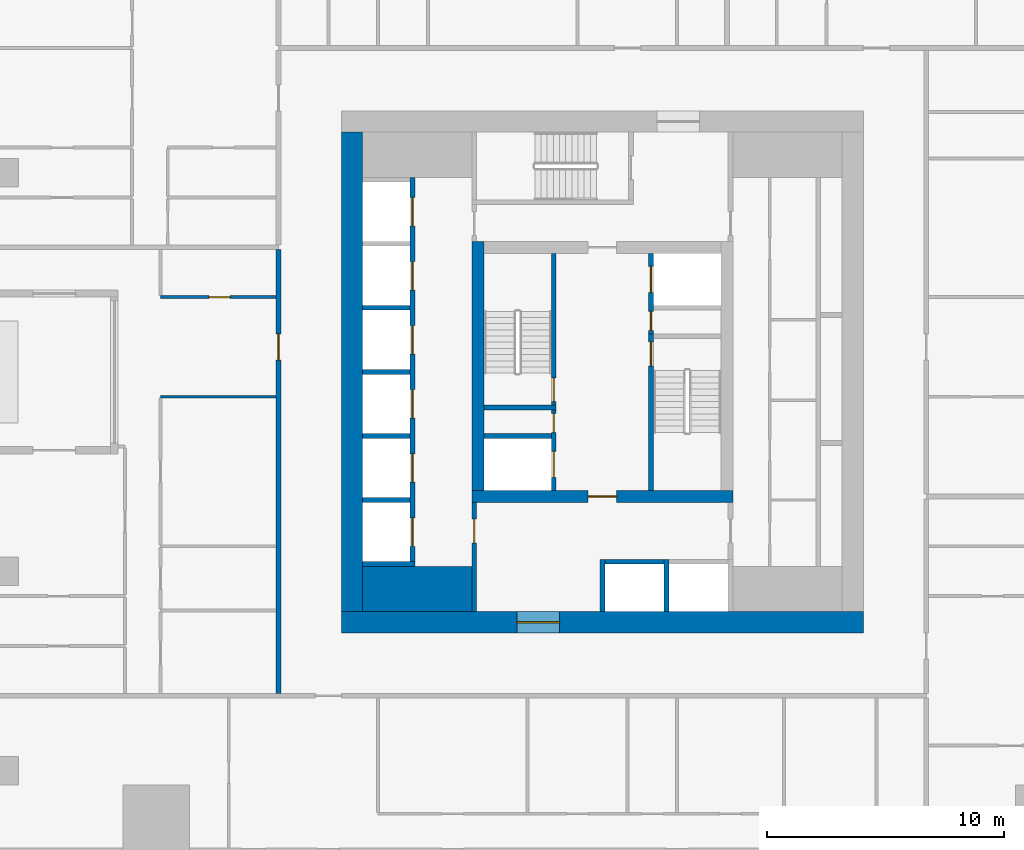
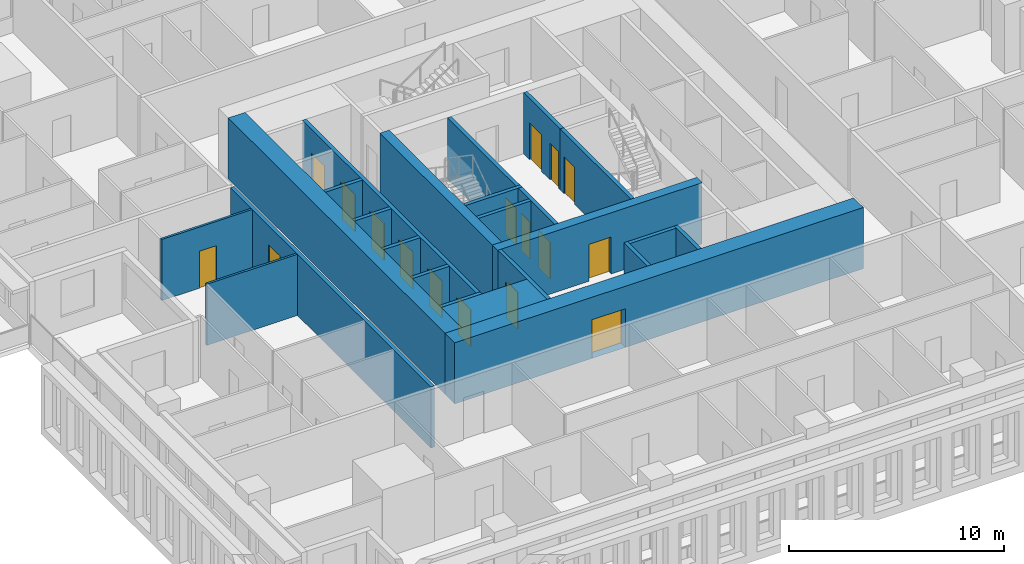
# One storey, part 4 of 16: 24 walls, 17 doors, 17 openings.
"""IFC4 building model written with IfcOpenShell, lengths in metres."""

from ifc_helpers import new_model, si_unit, direction, frame, frame_2d, origin, place, context, subcontext, project, spatial, rectangle, extrude, material, layer, layer_set, type_object, element, fill, save


model = new_model("IFC4")

# Units and contexts
model_context = context("Model", 3, precision=1e-05, world=origin(), true_north=direction((0.0, 1.0)))
body_context = subcontext(model_context, "Body", "Model", "MODEL_VIEW")
ifc_project = project(units=[si_unit("LENGTHUNIT", "METRE"), si_unit("AREAUNIT", "SQUARE_METRE"), si_unit("VOLUMEUNIT", "CUBIC_METRE"), si_unit("PLANEANGLEUNIT", "RADIAN"), si_unit("MASSUNIT", "GRAM", prefix="KILO")], contexts=[model_context])

# Site, building, storey
site_placement = place(None, origin())
site = spatial("IfcSite", under=ifc_project, at=site_placement, CompositionType="ELEMENT")
building_placement = place(site_placement, origin())
building = spatial("IfcBuilding", under=site, at=building_placement, Name="Khepri Terraces", CompositionType="ELEMENT")
storey_placement = place(building_placement, frame((0.0, 0.0, 79.199951171875)))
storey = spatial("IfcBuildingStorey", under=building, at=storey_placement, Name="L18", CompositionType="ELEMENT", Elevation=79.199951171875)

# Wall
ifc_material_1 = material(Name="Concrete C70/85", Category="concrete")
ifc_layer_1 = layer(ifc_material_1, 1.89990234375, Name="Concrete C70/85", Category="concrete")
ifc_layer_set_1 = layer_set([ifc_layer_1], Name="Concrete C70/85")
wall_type_1 = type_object("IfcWallType", Name="Core wall 1900 C70/85", PredefinedType="SHEAR", material=ifc_layer_set_1)
wall_1_placement = place(storey_placement, frame((-10.10009765625, -9.14990234375, 0.0), z_axis=(0.0, 0.0, 1.0), x_axis=(1.0, 0.0, 0.0)))
element("IfcWall", 1, at=wall_1_placement, inside=storey, type_object=wall_type_1, Name="Core wall PR01 L18", PredefinedType="SHEAR", context=body_context, shape_type="SweptSolid", body=[
    extrude(rectangle(XDim=4.60009765625, YDim=1.89990234375, at=frame_2d((2.300048828125, 0.0))), origin(), (0.0, 0.0, 1.0), 3.47998046875),
])

# Wall, opening, door
ifc_layer_2 = layer(ifc_material_1, 0.199951171875, Name="Concrete C70/85", Category="concrete")
ifc_layer_set_2 = layer_set([ifc_layer_2], Name="Concrete C70/85")
wall_type_2 = type_object("IfcWallType", Name="Core wall 200 C70/85", PredefinedType="SHEAR", material=ifc_layer_set_2)
wall_2_placement = place(storey_placement, frame((2.050048828125, -5.0, 0.0), z_axis=(0.0, 0.0, 1.0), x_axis=(0.0, 1.0, 0.0)))
wall_2 = element("IfcWall", 2, at=wall_2_placement, inside=storey, type_object=wall_type_2, Name="Core wall ST01 L18", PredefinedType="SHEAR", context=body_context, shape_type="SweptSolid", body=[
    extrude(rectangle(XDim=6.60009765625, YDim=0.199951171875, at=frame_2d((3.300048828125, 0.0))), origin(), (0.0, 0.0, 1.0), 3.47998046875),
])
opening_1_placement = place(wall_2_placement, frame((5.25, 0.0, 0.0)))
opening_1 = element("IfcOpeningElement", 3, at=opening_1_placement, cuts=wall_2, Name="Opening L18-C10", PredefinedType="OPENING", context=body_context, shape_type="SweptSolid", body=[
    extrude(rectangle(XDim=1.0, YDim=2.10009765625, at=frame_2d((0.5, 1.050048828125))), frame((0.0, 0.10986328125, 0.0), z_axis=(0.0, -1.0, 0.0), x_axis=(1.0, 0.0, 0.0)), (0.0, 0.0, 1.0), 0.219970703125),
])
ifc_material_2 = material(Name="Painted steel", Category="steel")
door_type_1 = type_object("IfcDoorType", Name="DR-CORE-STAIR-1000", OperationType="NOTDEFINED", PredefinedType="DOOR", material=ifc_material_2)
door_1_placement = place(opening_1_placement, frame((1.0, 0.0, 0.0), z_axis=(0.0, 0.0, 1.0), x_axis=(-1.0, 0.0, 0.0)))
door_1 = element("IfcDoor", 4, at=door_1_placement, inside=storey, type_object=door_type_1, Name="Stair door L18-C10", OperationType="SINGLE_SWING_LEFT", OverallHeight=2.10009765625, OverallWidth=1.0, PredefinedType="DOOR", context=body_context, shape_type="SweptSolid", body=[
    extrude(rectangle(XDim=1.0, YDim=2.10009765625, at=frame_2d((0.5, 1.050048828125))), frame((0.0, 0.02490234375, 0.0), z_axis=(0.0, -1.0, 0.0), x_axis=(1.0, 0.0, 0.0)), (0.0, 0.0, 1.0), 0.050048828125),
])
fill(opening_1, door_1)

# Wall
wall_3_placement = place(storey_placement, frame((-5.0, -1.5, 0.0), z_axis=(0.0, 0.0, 1.0), x_axis=(1.0, 0.0, 0.0)))
element("IfcWall", 5, at=wall_3_placement, inside=storey, type_object=wall_type_2, Name="Core wall ST02 L18", PredefinedType="SHEAR", context=body_context, shape_type="SweptSolid", body=[
    extrude(rectangle(XDim=3.050048828125, YDim=0.199951171875, at=frame_2d((1.52490234375, 0.0))), origin(), (0.0, 0.0, 1.0), 3.47998046875),
])

# Wall, opening, door
wall_4_placement = place(storey_placement, frame((-2.050048828125, -1.39990234375, 0.0), z_axis=(0.0, 0.0, 1.0), x_axis=(0.0, 1.0, 0.0)))
wall_4 = element("IfcWall", 6, at=wall_4_placement, inside=storey, type_object=wall_type_2, Name="Core wall ST03 L18", PredefinedType="SHEAR", context=body_context, shape_type="SweptSolid", body=[
    extrude(rectangle(XDim=6.39990234375, YDim=0.199951171875, at=frame_2d((3.199951171875, 0.0))), origin(), (0.0, 0.0, 1.0), 3.47998046875),
])
opening_2_placement = place(wall_4_placement, frame((0.14990234375, 0.0, 0.0)))
opening_2 = element("IfcOpeningElement", 7, at=opening_2_placement, cuts=wall_4, Name="Opening L18-C09", PredefinedType="OPENING", context=body_context, shape_type="SweptSolid", body=[
    extrude(rectangle(XDim=1.0, YDim=2.10009765625, at=frame_2d((0.5, 1.050048828125))), frame((0.0, 0.10986328125, 0.0), z_axis=(0.0, -1.0, 0.0), x_axis=(1.0, 0.0, 0.0)), (0.0, 0.0, 1.0), 0.219970703125),
])
door_2_placement = place(opening_2_placement, origin())
door_2 = element("IfcDoor", 8, at=door_2_placement, inside=storey, type_object=door_type_1, Name="Stair door L18-C09", OperationType="SINGLE_SWING_LEFT", OverallHeight=2.10009765625, OverallWidth=1.0, PredefinedType="DOOR", context=body_context, shape_type="SweptSolid", body=[
    extrude(rectangle(XDim=1.0, YDim=2.10009765625, at=frame_2d((0.5, 1.050048828125))), frame((0.0, 0.02490234375, 0.0), z_axis=(0.0, -1.0, 0.0), x_axis=(1.0, 0.0, 0.0)), (0.0, 0.0, 1.0), 0.050048828125),
])
fill(opening_2, door_2)

# Walls
for number, where, z_axis, x_axis, name in (
    (9, (0.0, -10.10009765625, 0.0), (0.0, 0.0, 1.0), (0.0, 1.0, 0.0), "Core wall SH01 L18"),
    (10, (2.699951171875, -10.10009765625, 0.0), (0.0, 0.0, 1.0), (0.0, 1.0, 0.0), "Core wall SH02 L18"),
    (11, (-10.10009765625, -8.10009765625, 0.0), (0.0, 0.0, 1.0), (1.0, 0.0, 0.0), "Core wall SH04 L18"),
):
    element("IfcWall", number, at=place(storey_placement, frame(where, z_axis=z_axis, x_axis=x_axis)), inside=storey, type_object=wall_type_2, Name=name, PredefinedType="SHEAR", context=body_context, shape_type="SweptSolid", body=[
        extrude(rectangle(XDim=2.2001953125, YDim=0.199951171875, at=frame_2d((1.10009765625, 0.0))), origin(), (0.0, 0.0, 1.0), 3.47998046875),
    ])
wall_5_placement = place(storey_placement, frame((0.10009765625, -8.0, 0.0), z_axis=(0.0, 0.0, 1.0), x_axis=(1.0, 0.0, 0.0)))
element("IfcWall", 12, at=wall_5_placement, inside=storey, type_object=wall_type_2, Name="Core wall SH06 L18", PredefinedType="SHEAR", context=body_context, shape_type="SweptSolid", body=[
    extrude(rectangle(XDim=2.5, YDim=0.199951171875, at=frame_2d((1.25, 0.0))), origin(), (0.0, 0.0, 1.0), 3.47998046875),
])

# Wall, openings, doors
wall_6_placement = place(storey_placement, frame((-8.0, -8.0, 0.0), z_axis=(0.0, 0.0, 1.0), x_axis=(0.0, 1.0, 0.0)))
wall_6 = element("IfcWall", 13, at=wall_6_placement, inside=storey, type_object=wall_type_2, Name="Core wall SH08 L18", PredefinedType="SHEAR", context=body_context, shape_type="SweptSolid", body=[
    extrude(rectangle(XDim=16.199951171875, YDim=0.199951171875, at=frame_2d((8.10009765625, 0.0))), origin(), (0.0, 0.0, 1.0), 3.47998046875),
])
opening_3_placement = place(wall_6_placement, frame((0.64990234375, 0.0, 0.0)))
opening_3 = element("IfcOpeningElement", 14, at=opening_3_placement, cuts=wall_6, Name="Opening L18-C01", PredefinedType="OPENING", context=body_context, shape_type="SweptSolid", body=[
    extrude(rectangle(XDim=1.199951171875, YDim=2.10009765625, at=frame_2d((0.60009765625, 1.050048828125))), frame((0.0, 0.10986328125, 0.0), z_axis=(0.0, -1.0, 0.0), x_axis=(1.0, 0.0, 0.0)), (0.0, 0.0, 1.0), 0.219970703125),
])
opening_4_placement = place(wall_6_placement, frame((3.35009765625, 0.0, 0.0)))
opening_4 = element("IfcOpeningElement", 15, at=opening_4_placement, cuts=wall_6, Name="Opening L18-C02", PredefinedType="OPENING", context=body_context, shape_type="SweptSolid", body=[
    extrude(rectangle(XDim=1.199951171875, YDim=2.10009765625, at=frame_2d((0.60009765625, 1.050048828125))), frame((0.0, 0.10986328125, 0.0), z_axis=(0.0, -1.0, 0.0), x_axis=(1.0, 0.0, 0.0)), (0.0, 0.0, 1.0), 0.219970703125),
])
opening_5_placement = place(wall_6_placement, frame((6.050048828125, 0.0, 0.0)))
opening_5 = element("IfcOpeningElement", 16, at=opening_5_placement, cuts=wall_6, Name="Opening L18-C03", PredefinedType="OPENING", context=body_context, shape_type="SweptSolid", body=[
    extrude(rectangle(XDim=1.199951171875, YDim=2.10009765625, at=frame_2d((0.60009765625, 1.050048828125))), frame((0.0, 0.10986328125, 0.0), z_axis=(0.0, -1.0, 0.0), x_axis=(1.0, 0.0, 0.0)), (0.0, 0.0, 1.0), 0.219970703125),
])
opening_6_placement = place(wall_6_placement, frame((8.75, 0.0, 0.0)))
opening_6 = element("IfcOpeningElement", 17, at=opening_6_placement, cuts=wall_6, Name="Opening L18-C04", PredefinedType="OPENING", context=body_context, shape_type="SweptSolid", body=[
    extrude(rectangle(XDim=1.199951171875, YDim=2.10009765625, at=frame_2d((0.60009765625, 1.050048828125))), frame((0.0, 0.10986328125, 0.0), z_axis=(0.0, -1.0, 0.0), x_axis=(1.0, 0.0, 0.0)), (0.0, 0.0, 1.0), 0.219970703125),
])
opening_7_placement = place(wall_6_placement, frame((11.449951171875, 0.0, 0.0)))
opening_7 = element("IfcOpeningElement", 18, at=opening_7_placement, cuts=wall_6, Name="Opening L18-C05", PredefinedType="OPENING", context=body_context, shape_type="SweptSolid", body=[
    extrude(rectangle(XDim=1.199951171875, YDim=2.10009765625, at=frame_2d((0.60009765625, 1.050048828125))), frame((0.0, 0.10986328125, 0.0), z_axis=(0.0, -1.0, 0.0), x_axis=(1.0, 0.0, 0.0)), (0.0, 0.0, 1.0), 0.219970703125),
])
opening_8_placement = place(wall_6_placement, frame((14.14990234375, 0.0, 0.0)))
opening_8 = element("IfcOpeningElement", 19, at=opening_8_placement, cuts=wall_6, Name="Opening L18-C06", PredefinedType="OPENING", context=body_context, shape_type="SweptSolid", body=[
    extrude(rectangle(XDim=1.199951171875, YDim=2.10009765625, at=frame_2d((0.60009765625, 1.050048828125))), frame((0.0, 0.10986328125, 0.0), z_axis=(0.0, -1.0, 0.0), x_axis=(1.0, 0.0, 0.0)), (0.0, 0.0, 1.0), 0.219970703125),
])
ifc_material_3 = material(Name="Stainless steel 304", Category="steel")
door_type_2 = type_object("IfcDoorType", Name="DR-CORE-LANDING-1200", OperationType="NOTDEFINED", PredefinedType="DOOR", material=ifc_material_3)
door_3_placement = place(opening_3_placement, origin())
door_3 = element("IfcDoor", 20, at=door_3_placement, inside=storey, type_object=door_type_2, Name="Lift landing door L18-C01", OperationType="SLIDING_TO_LEFT", OverallHeight=2.10009765625, OverallWidth=1.199951171875, PredefinedType="DOOR", context=body_context, shape_type="SweptSolid", body=[
    extrude(rectangle(XDim=1.199951171875, YDim=2.10009765625, at=frame_2d((0.60009765625, 1.050048828125))), frame((0.0, 0.02490234375, 0.0), z_axis=(0.0, -1.0, 0.0), x_axis=(1.0, 0.0, 0.0)), (0.0, 0.0, 1.0), 0.050048828125),
])
fill(opening_3, door_3)
door_4_placement = place(opening_4_placement, origin())
door_4 = element("IfcDoor", 21, at=door_4_placement, inside=storey, type_object=door_type_2, Name="Lift landing door L18-C02", OperationType="SLIDING_TO_LEFT", OverallHeight=2.10009765625, OverallWidth=1.199951171875, PredefinedType="DOOR", context=body_context, shape_type="SweptSolid", body=[
    extrude(rectangle(XDim=1.199951171875, YDim=2.10009765625, at=frame_2d((0.60009765625, 1.050048828125))), frame((0.0, 0.02490234375, 0.0), z_axis=(0.0, -1.0, 0.0), x_axis=(1.0, 0.0, 0.0)), (0.0, 0.0, 1.0), 0.050048828125),
])
fill(opening_4, door_4)
door_5_placement = place(opening_5_placement, origin())
door_5 = element("IfcDoor", 22, at=door_5_placement, inside=storey, type_object=door_type_2, Name="Lift landing door L18-C03", OperationType="SLIDING_TO_LEFT", OverallHeight=2.10009765625, OverallWidth=1.199951171875, PredefinedType="DOOR", context=body_context, shape_type="SweptSolid", body=[
    extrude(rectangle(XDim=1.199951171875, YDim=2.10009765625, at=frame_2d((0.60009765625, 1.050048828125))), frame((0.0, 0.02490234375, 0.0), z_axis=(0.0, -1.0, 0.0), x_axis=(1.0, 0.0, 0.0)), (0.0, 0.0, 1.0), 0.050048828125),
])
fill(opening_5, door_5)
door_6_placement = place(opening_6_placement, origin())
door_6 = element("IfcDoor", 23, at=door_6_placement, inside=storey, type_object=door_type_2, Name="Lift landing door L18-C04", OperationType="SLIDING_TO_LEFT", OverallHeight=2.10009765625, OverallWidth=1.199951171875, PredefinedType="DOOR", context=body_context, shape_type="SweptSolid", body=[
    extrude(rectangle(XDim=1.199951171875, YDim=2.10009765625, at=frame_2d((0.60009765625, 1.050048828125))), frame((0.0, 0.02490234375, 0.0), z_axis=(0.0, -1.0, 0.0), x_axis=(1.0, 0.0, 0.0)), (0.0, 0.0, 1.0), 0.050048828125),
])
fill(opening_6, door_6)
door_7_placement = place(opening_7_placement, origin())
door_7 = element("IfcDoor", 24, at=door_7_placement, inside=storey, type_object=door_type_2, Name="Lift landing door L18-C05", OperationType="SLIDING_TO_LEFT", OverallHeight=2.10009765625, OverallWidth=1.199951171875, PredefinedType="DOOR", context=body_context, shape_type="SweptSolid", body=[
    extrude(rectangle(XDim=1.199951171875, YDim=2.10009765625, at=frame_2d((0.60009765625, 1.050048828125))), frame((0.0, 0.02490234375, 0.0), z_axis=(0.0, -1.0, 0.0), x_axis=(1.0, 0.0, 0.0)), (0.0, 0.0, 1.0), 0.050048828125),
])
fill(opening_7, door_7)
door_8_placement = place(opening_8_placement, origin())
door_8 = element("IfcDoor", 25, at=door_8_placement, inside=storey, type_object=door_type_2, Name="Lift landing door L18-C06", OperationType="SLIDING_TO_LEFT", OverallHeight=2.10009765625, OverallWidth=1.199951171875, PredefinedType="DOOR", context=body_context, shape_type="SweptSolid", body=[
    extrude(rectangle(XDim=1.199951171875, YDim=2.10009765625, at=frame_2d((0.60009765625, 1.050048828125))), frame((0.0, 0.02490234375, 0.0), z_axis=(0.0, -1.0, 0.0), x_axis=(1.0, 0.0, 0.0)), (0.0, 0.0, 1.0), 0.050048828125),
])
fill(opening_8, door_8)

# Wall
wall_7_placement = place(storey_placement, frame((-10.10009765625, -5.39990234375, 0.0), z_axis=(0.0, 0.0, 1.0), x_axis=(1.0, 0.0, 0.0)))
element("IfcWall", 26, at=wall_7_placement, inside=storey, type_object=wall_type_2, Name="Core wall SH09 L18", PredefinedType="SHEAR", context=body_context, shape_type="SweptSolid", body=[
    extrude(rectangle(XDim=2.0, YDim=0.199951171875, at=frame_2d((1.0, 0.0))), origin(), (0.0, 0.0, 1.0), 3.47998046875),
])

# Wall, openings, doors
wall_8_placement = place(storey_placement, frame((-2.050048828125, -5.0, 0.0), z_axis=(0.0, 0.0, 1.0), x_axis=(0.0, 1.0, 0.0)))
wall_8 = element("IfcWall", 27, at=wall_8_placement, inside=storey, type_object=wall_type_2, Name="Core wall SH10 L18", PredefinedType="SHEAR", context=body_context, shape_type="SweptSolid", body=[
    extrude(rectangle(XDim=3.39990234375, YDim=0.199951171875, at=frame_2d((1.699951171875, 0.0))), origin(), (0.0, 0.0, 1.0), 3.47998046875),
])
opening_9_placement = place(wall_8_placement, frame((0.550048828125, 0.0, 0.0)))
opening_9 = element("IfcOpeningElement", 28, at=opening_9_placement, cuts=wall_8, Name="Opening L18-C08", PredefinedType="OPENING", context=body_context, shape_type="SweptSolid", body=[
    extrude(rectangle(XDim=1.10009765625, YDim=2.10009765625, at=frame_2d((0.550048828125, 1.050048828125))), frame((0.0, 0.10986328125, 0.0), z_axis=(0.0, -1.0, 0.0), x_axis=(1.0, 0.0, 0.0)), (0.0, 0.0, 1.0), 0.219970703125),
])
opening_10_placement = place(wall_8_placement, frame((2.449951171875, 0.0, 0.0)))
opening_10 = element("IfcOpeningElement", 29, at=opening_10_placement, cuts=wall_8, Name="Opening L18-C12", PredefinedType="OPENING", context=body_context, shape_type="SweptSolid", body=[
    extrude(rectangle(XDim=0.800048828125, YDim=2.10009765625, at=frame_2d((0.39990234375, 1.050048828125))), frame((0.0, 0.10986328125, 0.0), z_axis=(0.0, -1.0, 0.0), x_axis=(1.0, 0.0, 0.0)), (0.0, 0.0, 1.0), 0.219970703125),
])
door_type_3 = type_object("IfcDoorType", Name="DR-CORE-FF-LANDING-1100", OperationType="NOTDEFINED", PredefinedType="DOOR", material=ifc_material_3)
door_9_placement = place(opening_9_placement, origin())
door_9 = element("IfcDoor", 30, at=door_9_placement, inside=storey, type_object=door_type_3, Name="Firefighting lift landing door L18-C08", OperationType="SLIDING_TO_LEFT", OverallHeight=2.10009765625, OverallWidth=1.10009765625, PredefinedType="DOOR", context=body_context, shape_type="SweptSolid", body=[
    extrude(rectangle(XDim=1.10009765625, YDim=2.10009765625, at=frame_2d((0.550048828125, 1.050048828125))), frame((0.0, 0.02490234375, 0.0), z_axis=(0.0, -1.0, 0.0), x_axis=(1.0, 0.0, 0.0)), (0.0, 0.0, 1.0), 0.050048828125),
])
fill(opening_9, door_9)
door_type_4 = type_object("IfcDoorType", Name="DR-CORE-RISER-800", OperationType="NOTDEFINED", PredefinedType="DOOR", material=ifc_material_2)
door_10_placement = place(opening_10_placement, origin())
door_10 = element("IfcDoor", 31, at=door_10_placement, inside=storey, type_object=door_type_4, Name="Riser door L18-C12", OperationType="SINGLE_SWING_RIGHT", OverallHeight=2.10009765625, OverallWidth=0.800048828125, PredefinedType="DOOR", context=body_context, shape_type="SweptSolid", body=[
    extrude(rectangle(XDim=0.800048828125, YDim=2.10009765625, at=frame_2d((0.39990234375, 1.050048828125))), frame((0.0, 0.02490234375, 0.0), z_axis=(0.0, -1.0, 0.0), x_axis=(1.0, 0.0, 0.0)), (0.0, 0.0, 1.0), 0.050048828125),
])
fill(opening_10, door_10)

# Walls
wall_9_placement = place(storey_placement, frame((-10.10009765625, -2.699951171875, 0.0), z_axis=(0.0, 0.0, 1.0), x_axis=(1.0, 0.0, 0.0)))
element("IfcWall", 32, at=wall_9_placement, inside=storey, type_object=wall_type_2, Name="Core wall SH12 L18", PredefinedType="SHEAR", context=body_context, shape_type="SweptSolid", body=[
    extrude(rectangle(XDim=2.0, YDim=0.199951171875, at=frame_2d((1.0, 0.0))), origin(), (0.0, 0.0, 1.0), 3.47998046875),
])
wall_10_placement = place(storey_placement, frame((-5.0, -2.699951171875, 0.0), z_axis=(0.0, 0.0, 1.0), x_axis=(1.0, 0.0, 0.0)))
element("IfcWall", 33, at=wall_10_placement, inside=storey, type_object=wall_type_2, Name="Core wall SH13 L18", PredefinedType="SHEAR", context=body_context, shape_type="SweptSolid", body=[
    extrude(rectangle(XDim=2.85009765625, YDim=0.199951171875, at=frame_2d((1.425048828125, 0.0))), origin(), (0.0, 0.0, 1.0), 3.47998046875),
])
wall_11_placement = place(storey_placement, frame((-10.10009765625, 0.0, 0.0), z_axis=(0.0, 0.0, 1.0), x_axis=(1.0, 0.0, 0.0)))
element("IfcWall", 34, at=wall_11_placement, inside=storey, type_object=wall_type_2, Name="Core wall SH14 L18", PredefinedType="SHEAR", context=body_context, shape_type="SweptSolid", body=[
    extrude(rectangle(XDim=2.0, YDim=0.199951171875, at=frame_2d((1.0, 0.0))), origin(), (0.0, 0.0, 1.0), 3.47998046875),
])

# Wall, openings, doors
wall_12_placement = place(storey_placement, frame((2.050048828125, 1.60009765625, 0.0), z_axis=(0.0, 0.0, 1.0), x_axis=(0.0, 1.0, 0.0)))
wall_12 = element("IfcWall", 35, at=wall_12_placement, inside=storey, type_object=wall_type_2, Name="Core wall SH15 L18", PredefinedType="SHEAR", context=body_context, shape_type="SweptSolid", body=[
    extrude(rectangle(XDim=3.39990234375, YDim=0.199951171875, at=frame_2d((1.699951171875, 0.0))), origin(), (0.0, 0.0, 1.0), 3.47998046875),
])
opening_11_placement = place(wall_12_placement, frame((1.75, 0.0, 0.0)))
opening_11 = element("IfcOpeningElement", 36, at=opening_11_placement, cuts=wall_12, Name="Opening L18-C07", PredefinedType="OPENING", context=body_context, shape_type="SweptSolid", body=[
    extrude(rectangle(XDim=1.10009765625, YDim=2.10009765625, at=frame_2d((0.550048828125, 1.050048828125))), frame((0.0, 0.10986328125, 0.0), z_axis=(0.0, -1.0, 0.0), x_axis=(1.0, 0.0, 0.0)), (0.0, 0.0, 1.0), 0.219970703125),
])
opening_12_placement = place(wall_12_placement, frame((0.14990234375, 0.0, 0.0)))
opening_12 = element("IfcOpeningElement", 37, at=opening_12_placement, cuts=wall_12, Name="Opening L18-C11", PredefinedType="OPENING", context=body_context, shape_type="SweptSolid", body=[
    extrude(rectangle(XDim=0.800048828125, YDim=2.10009765625, at=frame_2d((0.39990234375, 1.050048828125))), frame((0.0, 0.10986328125, 0.0), z_axis=(0.0, -1.0, 0.0), x_axis=(1.0, 0.0, 0.0)), (0.0, 0.0, 1.0), 0.219970703125),
])
door_11_placement = place(opening_11_placement, origin())
door_11 = element("IfcDoor", 38, at=door_11_placement, inside=storey, type_object=door_type_3, Name="Firefighting lift landing door L18-C07", OperationType="SLIDING_TO_LEFT", OverallHeight=2.10009765625, OverallWidth=1.10009765625, PredefinedType="DOOR", context=body_context, shape_type="SweptSolid", body=[
    extrude(rectangle(XDim=1.10009765625, YDim=2.10009765625, at=frame_2d((0.550048828125, 1.050048828125))), frame((0.0, 0.02490234375, 0.0), z_axis=(0.0, -1.0, 0.0), x_axis=(1.0, 0.0, 0.0)), (0.0, 0.0, 1.0), 0.050048828125),
])
fill(opening_11, door_11)
door_12_placement = place(opening_12_placement, frame((0.800048828125, 0.0, 0.0), z_axis=(0.0, 0.0, 1.0), x_axis=(-1.0, 0.0, 0.0)))
door_12 = element("IfcDoor", 39, at=door_12_placement, inside=storey, type_object=door_type_4, Name="Riser door L18-C11", OperationType="SINGLE_SWING_RIGHT", OverallHeight=2.10009765625, OverallWidth=0.800048828125, PredefinedType="DOOR", context=body_context, shape_type="SweptSolid", body=[
    extrude(rectangle(XDim=0.800048828125, YDim=2.10009765625, at=frame_2d((0.39990234375, 1.050048828125))), frame((0.0, 0.02490234375, 0.0), z_axis=(0.0, -1.0, 0.0), x_axis=(1.0, 0.0, 0.0)), (0.0, 0.0, 1.0), 0.050048828125),
])
fill(opening_12, door_12)

# Wall
wall_13_placement = place(storey_placement, frame((-10.10009765625, 2.699951171875, 0.0), z_axis=(0.0, 0.0, 1.0), x_axis=(1.0, 0.0, 0.0)))
element("IfcWall", 40, at=wall_13_placement, inside=storey, type_object=wall_type_2, Name="Core wall SH17 L18", PredefinedType="SHEAR", context=body_context, shape_type="SweptSolid", body=[
    extrude(rectangle(XDim=2.0, YDim=0.199951171875, at=frame_2d((1.0, 0.0))), origin(), (0.0, 0.0, 1.0), 3.47998046875),
])

# Wall, opening, door
ifc_layer_3 = layer(ifc_material_1, 0.5, Name="Concrete C70/85", Category="concrete")
ifc_layer_set_3 = layer_set([ifc_layer_3], Name="Concrete C70/85")
wall_type_3 = type_object("IfcWallType", Name="Core wall 500 C70/85", PredefinedType="SHEAR", material=ifc_layer_set_3)
wall_14_placement = place(storey_placement, frame((-5.5, -5.25, 0.0), z_axis=(0.0, 0.0, 1.0), x_axis=(1.0, 0.0, 0.0)))
wall_14 = element("IfcWall", 41, at=wall_14_placement, inside=storey, type_object=wall_type_3, Name="Core wall BX01 L18", PredefinedType="SHEAR", context=body_context, shape_type="SweptSolid", body=[
    extrude(rectangle(XDim=11.0, YDim=0.5, at=frame_2d((5.5, 0.0))), origin(), (0.0, 0.0, 1.0), 3.47998046875),
])
opening_13_placement = place(wall_14_placement, frame((4.89990234375, 0.0, 0.0)))
opening_13 = element("IfcOpeningElement", 42, at=opening_13_placement, cuts=wall_14, Name="Opening L18-C14", PredefinedType="OPENING", context=body_context, shape_type="SweptSolid", body=[
    extrude(rectangle(XDim=1.199951171875, YDim=2.10009765625, at=frame_2d((0.60009765625, 1.050048828125))), frame((0.0, 0.260009765625, 0.0), z_axis=(0.0, -1.0, 0.0), x_axis=(1.0, 0.0, 0.0)), (0.0, 0.0, 1.0), 0.52001953125),
])
door_type_5 = type_object("IfcDoorType", Name="DR-CORE-FF-LOBBY-1200", OperationType="NOTDEFINED", PredefinedType="DOOR", material=ifc_material_2)
door_13_placement = place(opening_13_placement, origin())
door_13 = element("IfcDoor", 43, at=door_13_placement, inside=storey, type_object=door_type_5, Name="Firefighting lobby door L18-C14", OperationType="SINGLE_SWING_RIGHT", OverallHeight=2.10009765625, OverallWidth=1.199951171875, PredefinedType="DOOR", context=body_context, shape_type="SweptSolid", body=[
    extrude(rectangle(XDim=1.199951171875, YDim=2.10009765625, at=frame_2d((0.60009765625, 1.050048828125))), frame((0.0, 0.02490234375, 0.0), z_axis=(0.0, -1.0, 0.0), x_axis=(1.0, 0.0, 0.0)), (0.0, 0.0, 1.0), 0.050048828125),
])
fill(opening_13, door_13)

# Wall
wall_15_placement = place(storey_placement, frame((-5.25, -5.0, 0.0), z_axis=(0.0, 0.0, 1.0), x_axis=(0.0, 1.0, 0.0)))
element("IfcWall", 44, at=wall_15_placement, inside=storey, type_object=wall_type_3, Name="Core wall BX02 L18", PredefinedType="SHEAR", context=body_context, shape_type="SweptSolid", body=[
    extrude(rectangle(XDim=10.5, YDim=0.5, at=frame_2d((5.25, 0.0))), origin(), (0.0, 0.0, 1.0), 3.47998046875),
])

# Wall, opening, door
ifc_layer_4 = layer(ifc_material_1, 0.89990234375, Name="Concrete C70/85", Category="concrete")
ifc_layer_set_4 = layer_set([ifc_layer_4], Name="Concrete C70/85")
wall_type_4 = type_object("IfcWallType", Name="Core wall 900 C70/85", PredefinedType="SHEAR", material=ifc_layer_set_4)
wall_16_placement = place(storey_placement, frame((-11.0, -10.550048828125, 0.0), z_axis=(0.0, 0.0, 1.0), x_axis=(1.0, 0.0, 0.0)))
wall_16 = element("IfcWall", 45, at=wall_16_placement, inside=storey, type_object=wall_type_4, Name="Core wall OW-S L18", PredefinedType="SHEAR", context=body_context, shape_type="SweptSolid", body=[
    extrude(rectangle(XDim=22.0, YDim=0.89990234375, at=frame_2d((11.0, 0.0))), origin(), (0.0, 0.0, 1.0), 3.47998046875),
])
opening_14_placement = place(wall_16_placement, frame((7.39990234375, 0.0, 0.0)))
opening_14 = element("IfcOpeningElement", 46, at=opening_14_placement, cuts=wall_16, Name="Opening L18-C21", PredefinedType="OPENING", context=body_context, shape_type="SweptSolid", body=[
    extrude(rectangle(XDim=1.800048828125, YDim=2.199951171875, at=frame_2d((0.89990234375, 1.10009765625))), frame((0.0, 0.4599609375, 0.0), z_axis=(0.0, -1.0, 0.0), x_axis=(1.0, 0.0, 0.0)), (0.0, 0.0, 1.0), 0.919921875),
])
door_type_6 = type_object("IfcDoorType", Name="DR-CORE-ENTRANCE-1800", OperationType="NOTDEFINED", PredefinedType="DOOR", material=ifc_material_2)
door_14_placement = place(opening_14_placement, frame((1.800048828125, 0.0, 0.0), z_axis=(0.0, 0.0, 1.0), x_axis=(-1.0, 0.0, 0.0)))
door_14 = element("IfcDoor", 47, at=door_14_placement, inside=storey, type_object=door_type_6, Name="Core entrance door pair L18-C21", OperationType="DOUBLE_DOOR_SINGLE_SWING", OverallHeight=2.199951171875, OverallWidth=1.800048828125, PredefinedType="DOOR", context=body_context, shape_type="SweptSolid", body=[
    extrude(rectangle(XDim=1.800048828125, YDim=2.199951171875, at=frame_2d((0.89990234375, 1.10009765625))), frame((0.0, 0.02490234375, 0.0), z_axis=(0.0, -1.0, 0.0), x_axis=(1.0, 0.0, 0.0)), (0.0, 0.0, 1.0), 0.050048828125),
])
fill(opening_14, door_14)

# Wall
wall_17_placement = place(storey_placement, frame((-10.550048828125, -10.10009765625, 0.0), z_axis=(0.0, 0.0, 1.0), x_axis=(0.0, 1.0, 0.0)))
element("IfcWall", 48, at=wall_17_placement, inside=storey, type_object=wall_type_4, Name="Core wall OW-W L18", PredefinedType="SHEAR", context=body_context, shape_type="SweptSolid", body=[
    extrude(rectangle(XDim=20.2001953125, YDim=0.89990234375, at=frame_2d((10.10009765625, 0.0))), origin(), (0.0, 0.0, 1.0), 3.47998046875),
])

# Wall, opening, door
ifc_material_4 = material(Name="Fire-rated gypsum board partition")
ifc_layer_5 = layer(ifc_material_4, 0.199951171875, Name="Fire-rated gypsum board partition")
ifc_layer_set_5 = layer_set([ifc_layer_5], Name="Fire-rated gypsum board partition")
wall_type_5 = type_object("IfcWallType", Name="WL-CORE-PART-200", PredefinedType="PARTITIONING", material=ifc_layer_set_5)
wall_18_placement = place(storey_placement, frame((-5.39990234375, -10.10009765625, 0.0), z_axis=(0.0, 0.0, 1.0), x_axis=(0.0, 1.0, 0.0)))
wall_18 = element("IfcWall", 49, at=wall_18_placement, inside=storey, type_object=wall_type_5, Name="Core partition PT01 L18", PredefinedType="PARTITIONING", context=body_context, shape_type="SweptSolid", body=[
    extrude(rectangle(XDim=4.60009765625, YDim=0.199951171875, at=frame_2d((2.300048828125, 0.0))), origin(), (0.0, 0.0, 1.0), 3.47998046875),
])
opening_15_placement = place(wall_18_placement, frame((2.89990234375, 0.0, 0.0)))
opening_15 = element("IfcOpeningElement", 50, at=opening_15_placement, cuts=wall_18, Name="Opening L18-C18", PredefinedType="OPENING", context=body_context, shape_type="SweptSolid", body=[
    extrude(rectangle(XDim=1.0, YDim=2.10009765625, at=frame_2d((0.5, 1.050048828125))), frame((0.0, 0.10986328125, 0.0), z_axis=(0.0, -1.0, 0.0), x_axis=(1.0, 0.0, 0.0)), (0.0, 0.0, 1.0), 0.219970703125),
])
door_type_7 = type_object("IfcDoorType", Name="DR-CORE-LOBBY-1000", OperationType="NOTDEFINED", PredefinedType="DOOR", material=ifc_material_2)
door_15_placement = place(opening_15_placement, frame((1.0, 0.0, 0.0), z_axis=(0.0, 0.0, 1.0), x_axis=(-1.0, 0.0, 0.0)))
door_15 = element("IfcDoor", 51, at=door_15_placement, inside=storey, type_object=door_type_7, Name="Lobby door L18-C18", OperationType="SINGLE_SWING_LEFT", OverallHeight=2.10009765625, OverallWidth=1.0, PredefinedType="DOOR", context=body_context, shape_type="SweptSolid", body=[
    extrude(rectangle(XDim=1.0, YDim=2.10009765625, at=frame_2d((0.5, 1.050048828125))), frame((0.0, 0.02490234375, 0.0), z_axis=(0.0, -1.0, 0.0), x_axis=(1.0, 0.0, 0.0)), (0.0, 0.0, 1.0), 0.050048828125),
])
fill(opening_15, door_15)

ifc_material_5 = material(Name="Fire-rated gypsum plasterboard partition, mineral wool")
ifc_layer_6 = layer(ifc_material_5, 0.199951171875, Name="Fire-rated gypsum plasterboard partition, mineral wool")
ifc_layer_set_6 = layer_set([ifc_layer_6], Name="Fire-rated gypsum plasterboard partition, mineral wool")
wall_type_6 = type_object("IfcWallType", Name="WL-CORR-200", PredefinedType="PARTITIONING", material=ifc_layer_set_6)
wall_19_placement = place(storey_placement, frame((-13.64990234375, -13.550048828125, 0.0), z_axis=(0.0, 0.0, 1.0), x_axis=(0.0, 1.0, 0.0)))
wall_19 = element("IfcWall", 52, at=wall_19_placement, inside=storey, type_object=wall_type_6, Name="Partition P-028 L18", PredefinedType="PARTITIONING", context=body_context, shape_type="SweptSolid", body=[
    extrude(rectangle(XDim=18.699951171875, YDim=0.199951171875, at=frame_2d((9.35009765625, 0.0))), origin(), (0.0, 0.0, 1.0), 3.47998046875),
])
opening_16_placement = place(wall_19_placement, frame((14.050048828125, 0.0, 0.0)))
opening_16 = element("IfcOpeningElement", 53, at=opening_16_placement, cuts=wall_19, Name="Opening D1", PredefinedType="OPENING", context=body_context, shape_type="SweptSolid", body=[
    extrude(rectangle(XDim=1.10009765625, YDim=2.39990234375, at=frame_2d((0.550048828125, 1.199951171875))), frame((0.0, 0.10986328125, 0.0), z_axis=(0.0, -1.0, 0.0), x_axis=(1.0, 0.0, 0.0)), (0.0, 0.0, 1.0), 0.219970703125),
])
ifc_material_6 = material(Name="Solid-core timber door leaf, flat entrance door", Category="wood")
door_type_8 = type_object("IfcDoorType", Name="DR-ENT-1100", OperationType="NOTDEFINED", PredefinedType="DOOR", material=ifc_material_6)
door_16_placement = place(opening_16_placement, origin())
door_16 = element("IfcDoor", 54, at=door_16_placement, inside=storey, type_object=door_type_8, Name="Flat D2 entrance door", OperationType="SINGLE_SWING_RIGHT", OverallHeight=2.39990234375, OverallWidth=1.10009765625, PredefinedType="DOOR", context=body_context, shape_type="SweptSolid", body=[
    extrude(rectangle(XDim=1.10009765625, YDim=2.39990234375, at=frame_2d((0.550048828125, 1.199951171875))), frame((0.0, 0.02490234375, 0.0), z_axis=(0.0, -1.0, 0.0), x_axis=(1.0, 0.0, 0.0)), (0.0, 0.0, 1.0), 0.050048828125),
])
fill(opening_16, door_16)

# Wall
ifc_material_7 = material(Name="Gypsum plasterboard partition")
ifc_layer_7 = layer(ifc_material_7, 0.1201171875, Name="Gypsum plasterboard partition")
ifc_layer_set_7 = layer_set([ifc_layer_7], Name="Gypsum plasterboard partition")
wall_type_7 = type_object("IfcWallType", Name="WL-PART-120", PredefinedType="PARTITIONING", material=ifc_layer_set_7)
wall_20_placement = place(storey_placement, frame((-18.6201171875, -1.050048828125, 0.0), z_axis=(0.0, 0.0, 1.0), x_axis=(1.0, 0.0, 0.0)))
element("IfcWall", 55, at=wall_20_placement, inside=storey, type_object=wall_type_7, Name="Partition P-051 L18", PredefinedType="PARTITIONING", context=body_context, shape_type="SweptSolid", body=[
    extrude(rectangle(XDim=4.8701171875, YDim=0.1201171875, at=frame_2d((2.43505859375, 0.0))), origin(), (0.0, 0.0, 1.0), 3.47998046875),
])

# Wall, opening, door
wall_21_placement = place(storey_placement, frame((-18.6201171875, 3.14990234375, 0.0), z_axis=(0.0, 0.0, 1.0), x_axis=(1.0, 0.0, 0.0)))
wall_21 = element("IfcWall", 56, at=wall_21_placement, inside=storey, type_object=wall_type_7, Name="Partition P-053 L18", PredefinedType="PARTITIONING", context=body_context, shape_type="SweptSolid", body=[
    extrude(rectangle(XDim=4.8701171875, YDim=0.1201171875, at=frame_2d((2.43505859375, 0.0))), origin(), (0.0, 0.0, 1.0), 3.47998046875),
])
opening_17_placement = place(wall_21_placement, frame((2.034912109375, 0.0, 0.0)))
opening_17 = element("IfcOpeningElement", 57, at=opening_17_placement, cuts=wall_21, Name="Opening D4", PredefinedType="OPENING", context=body_context, shape_type="SweptSolid", body=[
    extrude(rectangle(XDim=0.89990234375, YDim=2.10009765625, at=frame_2d((0.449951171875, 1.050048828125))), frame((0.0, 0.070068359375, 0.0), z_axis=(0.0, -1.0, 0.0), x_axis=(1.0, 0.0, 0.0)), (0.0, 0.0, 1.0), 0.14013671875),
])
ifc_material_8 = material(Name="Timber door leaf, moisture resistant", Category="wood")
door_type_9 = type_object("IfcDoorType", Name="DR-WET-900", OperationType="NOTDEFINED", PredefinedType="DOOR", material=ifc_material_8)
door_17_placement = place(opening_17_placement, origin())
door_17 = element("IfcDoor", 58, at=door_17_placement, inside=storey, type_object=door_type_9, Name="Door Guest Bathroom", OperationType="SINGLE_SWING_RIGHT", OverallHeight=2.10009765625, OverallWidth=0.89990234375, PredefinedType="DOOR", context=body_context, shape_type="SweptSolid", body=[
    extrude(rectangle(XDim=0.89990234375, YDim=2.10009765625, at=frame_2d((0.449951171875, 1.050048828125))), frame((0.0, 0.02490234375, 0.0), z_axis=(0.0, -1.0, 0.0), x_axis=(1.0, 0.0, 0.0)), (0.0, 0.0, 1.0), 0.050048828125),
])
fill(opening_17, door_17)

save(model, "model.ifc")
